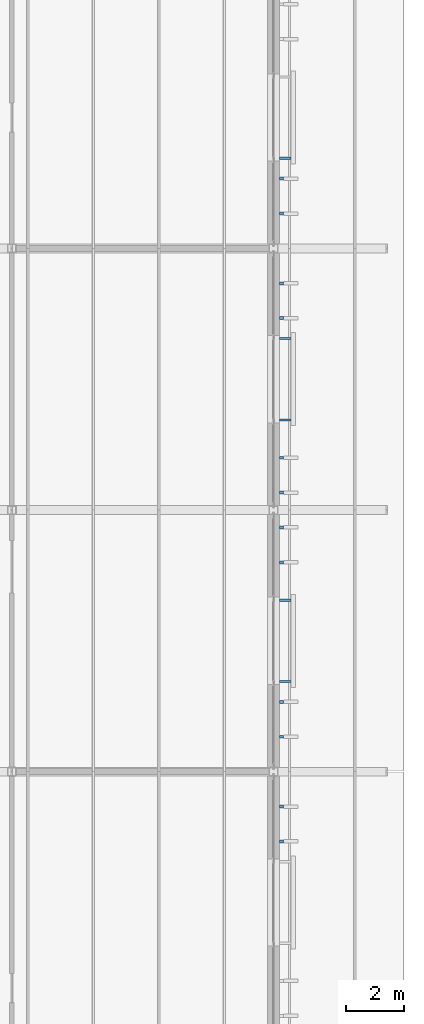
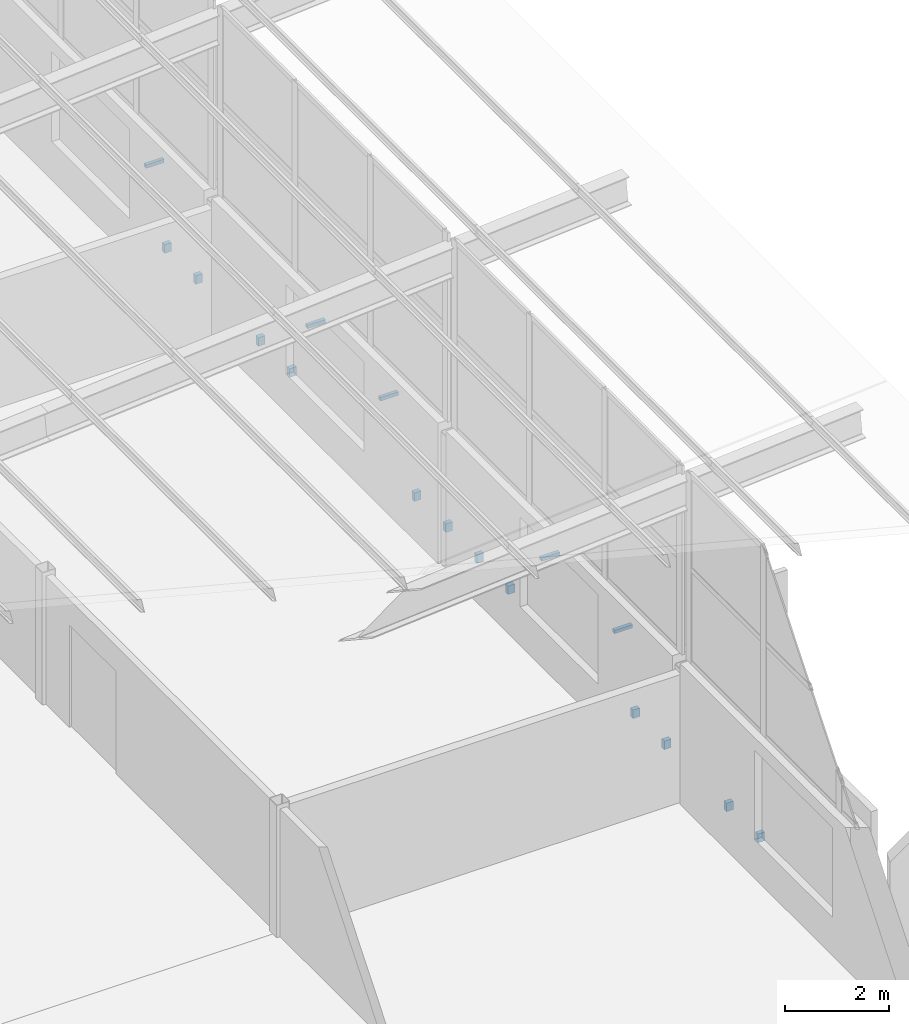
# One storey, part 78 of 85: 17 discrete accessories.
"""IFC4 building model written with IfcOpenShell, lengths in metres."""

from ifc_helpers import new_model, si_unit, direction, frame, origin, origin_2d, place, context, subcontext, project, spatial, rectangle, extrude, material, type_object, element, save


model = new_model("IFC4")

# Units and contexts
model_context = context("Model", 3, precision=1e-05, world=origin(), true_north=direction((0.0, 1.0)))
body_context = subcontext(model_context, "Body", "Model", "MODEL_VIEW")
ifc_project = project(units=[si_unit("LENGTHUNIT", "METRE"), si_unit("AREAUNIT", "SQUARE_METRE"), si_unit("VOLUMEUNIT", "CUBIC_METRE"), si_unit("PLANEANGLEUNIT", "RADIAN"), si_unit("MASSUNIT", "GRAM", prefix="KILO")], contexts=[model_context])

# Site, building, storey
site_placement = place(None, origin())
site = spatial("IfcSite", under=ifc_project, at=site_placement, CompositionType="ELEMENT")
building_placement = place(site_placement, origin())
building = spatial("IfcBuilding", under=site, at=building_placement, Name="Opaline Strait Convention Centre", CompositionType="ELEMENT")
storey_placement = place(building_placement, frame((0.0, 0.0, 17.0)))
storey = spatial("IfcBuildingStorey", under=building, at=storey_placement, Name="L03", CompositionType="ELEMENT", Elevation=17.0)

# Discrete accessories
ifc_material = material(Name="Stainless steel 304", Category="steel")
discrete_accessory_type_1 = type_object("IfcDiscreteAccessoryType", Name="Fin bracket 150 stainless steel", PredefinedType="BRACKET", material=ifc_material)
for number, where, z_axis, x_axis, name in (
    (1, (360.27490234375, 132.60009765625, 0.35009765625), (0.0, 0.0, 1.0), (1.0, 0.0, 0.0), "Fin bracket"),
    (2, (360.27490234375, 133.800048828125, 0.35009765625), (0.0, 0.0, 1.0), (1.0, 0.0, 0.0), "Fin bracket"),
    (3, (360.27490234375, 136.199951171875, 0.35009765625), (0.0, 0.0, 1.0), (1.0, 0.0, 0.0), "Fin bracket"),
    (4, (360.27490234375, 137.39990234375, 0.35009765625), (0.0, 0.0, 1.0), (1.0, 0.0, 0.0), "Fin bracket"),
    (5, (360.27490234375, 142.199951171875, 0.35009765625), (0.0, 0.0, 1.0), (1.0, 0.0, 0.0), "Fin bracket"),
    (6, (360.27490234375, 143.39990234375, 0.35009765625), (0.0, 0.0, 1.0), (1.0, 0.0, 0.0), "Fin bracket"),
    (7, (360.27490234375, 144.60009765625, 0.35009765625), (0.0, 0.0, 1.0), (1.0, 0.0, 0.0), "Fin bracket"),
    (8, (360.27490234375, 145.800048828125, 0.35009765625), (0.0, 0.0, 1.0), (1.0, 0.0, 0.0), "Fin bracket"),
    (9, (360.27490234375, 150.60009765625, 0.35009765625), (0.0, 0.0, 1.0), (1.0, 0.0, 0.0), "Fin bracket"),
    (10, (360.27490234375, 151.800048828125, 0.35009765625), (0.0, 0.0, 1.0), (1.0, 0.0, 0.0), "Fin bracket"),
    (11, (360.27490234375, 154.199951171875, 0.35009765625), (0.0, 0.0, 1.0), (1.0, 0.0, 0.0), "Fin bracket"),
    (12, (360.27490234375, 155.39990234375, 0.35009765625), (0.0, 0.0, 1.0), (1.0, 0.0, 0.0), "Fin bracket"),
):
    element("IfcDiscreteAccessory", number, at=place(storey_placement, frame(where, z_axis=z_axis, x_axis=x_axis)), inside=storey, type_object=discrete_accessory_type_1, Name=name, PredefinedType="BRACKET", context=body_context, shape_type="SweptSolid", body=[
        extrude(rectangle(XDim=0.14990234375, YDim=0.10009765625, at=origin_2d()), origin(), (0.0, 0.0, 1.0), 0.199951171875),
    ])
discrete_accessory_type_2 = type_object("IfcDiscreteAccessoryType", Name="Louvre bracket 400 stainless steel", PredefinedType="BRACKET", material=ifc_material)
for number, where, z_axis, x_axis, name in (
    (13, (360.39990234375, 138.10009765625, 1.909912109375), (0.0, 0.0, 1.0), (1.0, 0.0, 0.0), "Louvre bracket"),
    (14, (360.39990234375, 140.89990234375, 1.909912109375), (0.0, 0.0, 1.0), (1.0, 0.0, 0.0), "Louvre bracket"),
    (15, (360.39990234375, 147.10009765625, 1.909912109375), (0.0, 0.0, 1.0), (1.0, 0.0, 0.0), "Louvre bracket"),
    (16, (360.39990234375, 149.89990234375, 1.909912109375), (0.0, 0.0, 1.0), (1.0, 0.0, 0.0), "Louvre bracket"),
    (17, (360.39990234375, 156.10009765625, 1.909912109375), (0.0, 0.0, 1.0), (1.0, 0.0, 0.0), "Louvre bracket"),
):
    element("IfcDiscreteAccessory", number, at=place(storey_placement, frame(where, z_axis=z_axis, x_axis=x_axis)), inside=storey, type_object=discrete_accessory_type_2, Name=name, PredefinedType="BRACKET", context=body_context, shape_type="SweptSolid", body=[
        extrude(rectangle(XDim=0.39990234375, YDim=0.080078125, at=origin_2d()), origin(), (0.0, 0.0, 1.0), 0.080078125),
    ])

save(model, "model.ifc")
